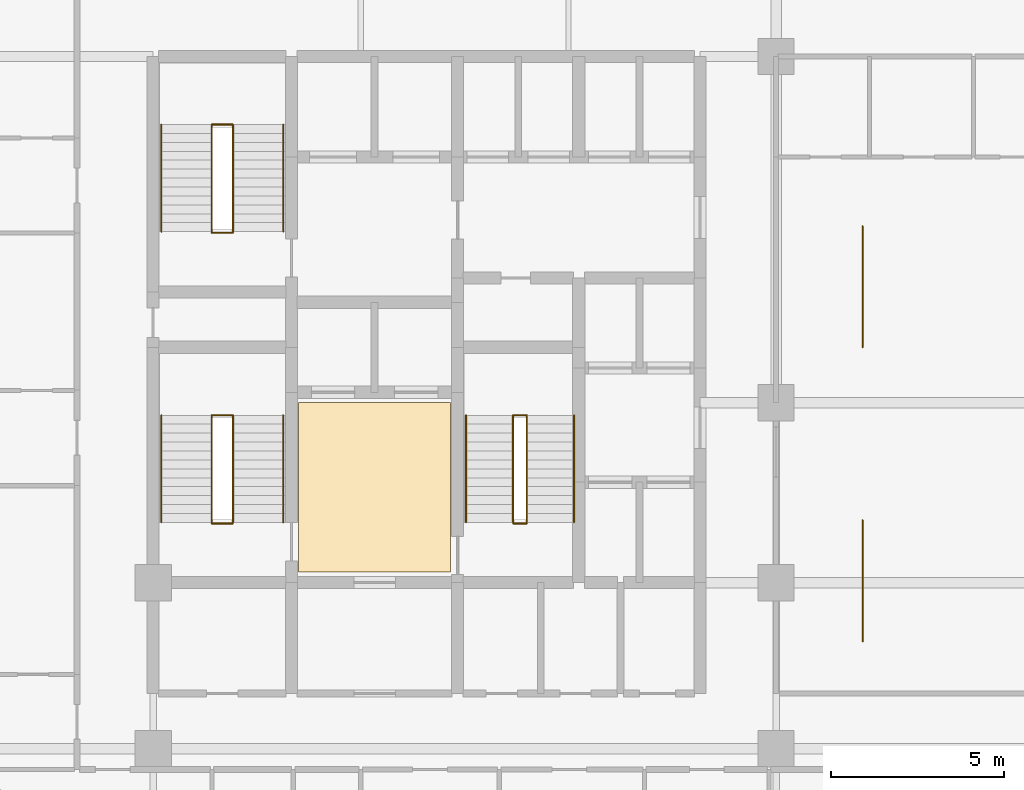
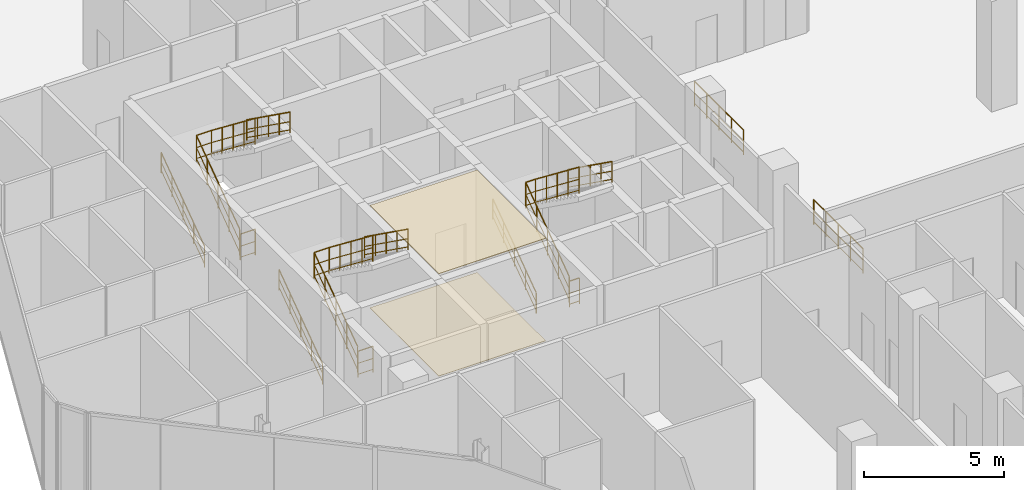
# One storey, part 29 of 29: 14 railings, 2 coverings.
"""IFC4 building model written with IfcOpenShell, lengths in metres."""

from ifc_helpers import new_model, si_unit, direction, frame, origin, origin_2d, place, context, subcontext, project, spatial, polyline, circle, outline, extrude, material, layer, layer_set, type_object, element, save


model = new_model("IFC4")

# Units and contexts
model_context = context("Model", 3, precision=1e-05, world=origin(), true_north=direction((0.0, 1.0)))
body_context = subcontext(model_context, "Body", "Model", "MODEL_VIEW")
ifc_project = project(units=[si_unit("LENGTHUNIT", "METRE"), si_unit("AREAUNIT", "SQUARE_METRE"), si_unit("VOLUMEUNIT", "CUBIC_METRE"), si_unit("PLANEANGLEUNIT", "RADIAN"), si_unit("MASSUNIT", "GRAM", prefix="KILO")], contexts=[model_context])

# Site, building, storey
site_placement = place(None, origin())
site = spatial("IfcSite", under=ifc_project, at=site_placement, CompositionType="ELEMENT")
building_placement = place(site_placement, origin())
building = spatial("IfcBuilding", under=site, at=building_placement, Name="Keshet Zoharim Tower", CompositionType="ELEMENT")
storey_placement = place(building_placement, frame((0.0, 0.0, 120.5)))
storey = spatial("IfcBuildingStorey", under=building, at=storey_placement, Name="L29", CompositionType="ELEMENT", Elevation=120.5)

# Coverings
ifc_material_1 = material(Name="Gypsum Plasterboard", Category="gypsum")
ifc_layer_1 = layer(ifc_material_1, 0.02490234375)
ifc_layer_set_1 = layer_set([ifc_layer_1], Name="Gypsum Plasterboard")
covering_type_1 = type_object("IfcCoveringType", Name="CV-CLG-025", PredefinedType="CEILING", material=ifc_layer_set_1)
covering_1_placement = place(storey_placement, frame((0.0, 0.0, 4.455078125)))
element("IfcCovering", 1, at=covering_1_placement, inside=storey, type_object=covering_type_1, Name="L29 Transfer Lobby Acoustic Ceiling", PredefinedType="CEILING", context=body_context, shape_type="SweptSolid", body=[
    extrude(outline(polyline([(19.199951171875, 23.0), (23.60009765625, 23.0), (23.60009765625, 27.89990234375), (19.199951171875, 27.89990234375), (19.199951171875, 23.0)])), origin(), (0.0, 0.0, 1.0), 0.02490234375),
])
ifc_material_2 = material(Name="Porcelain Ceramic Tile", Category="ceramic")
ifc_layer_2 = layer(ifc_material_2, 0.02001953125)
ifc_layer_set_2 = layer_set([ifc_layer_2], Name="Porcelain Ceramic Tile")
covering_type_2 = type_object("IfcCoveringType", Name="CV-FLR-020", PredefinedType="FLOORING", material=ifc_layer_set_2)
covering_2_placement = place(storey_placement, origin())
element("IfcCovering", 2, at=covering_2_placement, inside=storey, type_object=covering_type_2, Name="L29 Transfer Lobby Porcelain Flooring", PredefinedType="FLOORING", context=body_context, shape_type="SweptSolid", body=[
    extrude(outline(polyline([(19.199951171875, 23.0), (23.60009765625, 23.0), (23.60009765625, 27.89990234375), (19.199951171875, 27.89990234375), (19.199951171875, 23.0)])), origin(), (0.0, 0.0, 1.0), 0.02001953125),
])

# Railings
ifc_material_3 = material(Name="Insulated Low-E Clear Glass", Category="glass")
ifc_layer_3 = layer(ifc_material_3, 0.080078125)
ifc_layer_set_3 = layer_set([ifc_layer_3], Name="Insulated Low-E Clear Glass")
railing_type_1 = type_object("IfcRailingType", Name="RL-BAL-110", PredefinedType="BALUSTRADE", material=ifc_layer_set_3)
for number, where, name in (
    (3, (35.5, 21.0, 0.0), "L29 Lobby Glazed Balustrade 01"),
    (4, (35.5, 29.5, 0.0), "L29 Lobby Glazed Balustrade 02"),
):
    element("IfcRailing", number, at=place(storey_placement, frame(where)), inside=storey, type_object=railing_type_1, Name=name, PredefinedType="BALUSTRADE", context=body_context, shape_type="SweptSolid", body=[
        extrude(circle(Radius=0.02392578125, at=origin_2d()), frame((0.0, 0.0, 1.076171875), z_axis=(0.0, 1.0, 0.0), x_axis=(-1.0, 0.0, 0.0)), (0.0, 0.0, 1.0), 3.5),
        extrude(circle(Radius=0.01611328125, at=origin_2d()), frame((0.0, 0.0, 0.572021484375), z_axis=(0.0, 1.0, 0.0), x_axis=(-1.0, 0.0, 0.0)), (0.0, 0.0, 1.0), 3.5),
        extrude(circle(Radius=0.01611328125, at=origin_2d()), frame((0.0, 0.0, 0.1201171875), z_axis=(0.0, 1.0, 0.0), x_axis=(-1.0, 0.0, 0.0)), (0.0, 0.0, 1.0), 3.5),
        extrude(circle(Radius=0.02099609375, at=origin_2d()), origin(), (0.0, 0.0, 1.0), 1.052001953125),
        extrude(circle(Radius=0.02099609375, at=origin_2d()), frame((0.0, 0.875, 0.0)), (0.0, 0.0, 1.0), 1.052001953125),
        extrude(circle(Radius=0.02099609375, at=origin_2d()), frame((0.0, 1.75, 0.0)), (0.0, 0.0, 1.0), 1.052001953125),
        extrude(circle(Radius=0.02099609375, at=origin_2d()), frame((0.0, 2.625, 0.0)), (0.0, 0.0, 1.0), 1.052001953125),
        extrude(circle(Radius=0.02099609375, at=origin_2d()), frame((0.0, 3.5, 0.0)), (0.0, 0.0, 1.0), 1.052001953125),
    ])
ifc_material_4 = material(Name="Steel S355", Category="steel")
ifc_layer_4 = layer(ifc_material_4, 0.050048828125)
ifc_layer_set_4 = layer_set([ifc_layer_4], Name="Steel S355")
railing_type_2 = type_object("IfcRailingType", Name="RL-HND-092", PredefinedType="HANDRAIL", material=ifc_layer_set_4)
railing_1_placement = place(storey_placement, frame((15.239990234375, 24.43994140625, 0.1845703125)))
element("IfcRailing", 5, at=railing_1_placement, inside=storey, type_object=railing_type_2, Name="L29 ST-01 Flight 1 Wall Handrail", PredefinedType="HANDRAIL", context=body_context, shape_type="SweptSolid", body=[
    extrude(circle(Radius=0.02392578125, at=origin_2d()), frame((0.0, 0.0, 0.89599609375), z_axis=(0.0, 0.813243534622, 0.581923494453), x_axis=(-1.0, 0.0, 0.0)), (0.0, 0.0, 1.0), 3.806884765625),
    extrude(circle(Radius=0.01611328125, at=origin_2d()), frame((0.0, 0.0, 0.478271484375), z_axis=(0.0, 0.813243534622, 0.581923494453), x_axis=(-1.0, 0.0, 0.0)), (0.0, 0.0, 1.0), 3.806884765625),
    extrude(circle(Radius=0.01611328125, at=origin_2d()), frame((0.0, 0.0, 0.1201171875), z_axis=(0.0, 0.813243534622, 0.581923494453), x_axis=(-1.0, 0.0, 0.0)), (0.0, 0.0, 1.0), 3.806884765625),
    extrude(circle(Radius=0.02099609375, at=origin_2d()), origin(), (0.0, 0.0, 1.0), 0.871826171875),
    extrude(circle(Radius=0.02099609375, at=origin_2d()), frame((0.0, 0.77392578125, 0.5537109375)), (0.0, 0.0, 1.0), 0.871826171875),
    extrude(circle(Radius=0.02099609375, at=origin_2d()), frame((0.0, 1.5478515625, 1.107666015625)), (0.0, 0.0, 1.0), 0.871826171875),
    extrude(circle(Radius=0.02099609375, at=origin_2d()), frame((0.0, 2.322021484375, 1.66162109375)), (0.0, 0.0, 1.0), 0.871826171875),
    extrude(circle(Radius=0.02099609375, at=origin_2d()), frame((0.0, 3.095947265625, 2.21533203125)), (0.0, 0.0, 1.0), 0.871826171875),
])
railing_2_placement = place(storey_placement, frame((18.760009765625, 27.535888671875, 2.584716796875)))
element("IfcRailing", 6, at=railing_2_placement, inside=storey, type_object=railing_type_2, Name="L29 ST-01 Flight 2 Wall Handrail", PredefinedType="HANDRAIL", context=body_context, shape_type="SweptSolid", body=[
    extrude(circle(Radius=0.02392578125, at=origin_2d()), frame((0.0, 0.0, 0.89599609375), z_axis=(0.0, -0.813243534622, 0.581923494453), x_axis=(1.0, 0.0, 0.0)), (0.0, 0.0, 1.0), 3.806884765625),
    extrude(circle(Radius=0.01611328125, at=origin_2d()), frame((0.0, 0.0, 0.478271484375), z_axis=(0.0, -0.813243534622, 0.581923494453), x_axis=(1.0, 0.0, 0.0)), (0.0, 0.0, 1.0), 3.806884765625),
    extrude(circle(Radius=0.01611328125, at=origin_2d()), frame((0.0, 0.0, 0.1201171875), z_axis=(0.0, -0.813243534622, 0.581923494453), x_axis=(1.0, 0.0, 0.0)), (0.0, 0.0, 1.0), 3.806884765625),
    extrude(circle(Radius=0.02099609375, at=origin_2d()), origin(), (0.0, 0.0, 1.0), 0.871826171875),
    extrude(circle(Radius=0.02099609375, at=origin_2d()), frame((0.0, -0.77392578125, 0.5537109375)), (0.0, 0.0, 1.0), 0.871826171875),
    extrude(circle(Radius=0.02099609375, at=origin_2d()), frame((0.0, -1.5478515625, 1.107666015625)), (0.0, 0.0, 1.0), 0.871826171875),
    extrude(circle(Radius=0.02099609375, at=origin_2d()), frame((0.0, -2.322021484375, 1.66162109375)), (0.0, 0.0, 1.0), 0.871826171875),
    extrude(circle(Radius=0.02099609375, at=origin_2d()), frame((0.0, -3.095947265625, 2.21533203125)), (0.0, 0.0, 1.0), 0.871826171875),
])
railing_3_placement = place(storey_placement, frame((15.239990234375, 32.840087890625, 0.1845703125)))
element("IfcRailing", 7, at=railing_3_placement, inside=storey, type_object=railing_type_2, Name="L29 ST-02 Flight 1 Wall Handrail", PredefinedType="HANDRAIL", context=body_context, shape_type="SweptSolid", body=[
    extrude(circle(Radius=0.02392578125, at=origin_2d()), frame((0.0, 0.0, 0.89599609375), z_axis=(0.0, 0.813243534622, 0.581923494453), x_axis=(-1.0, 0.0, 0.0)), (0.0, 0.0, 1.0), 3.806884765625),
    extrude(circle(Radius=0.01611328125, at=origin_2d()), frame((0.0, 0.0, 0.478271484375), z_axis=(0.0, 0.813243534622, 0.581923494453), x_axis=(-1.0, 0.0, 0.0)), (0.0, 0.0, 1.0), 3.806884765625),
    extrude(circle(Radius=0.01611328125, at=origin_2d()), frame((0.0, 0.0, 0.1201171875), z_axis=(0.0, 0.813243534622, 0.581923494453), x_axis=(-1.0, 0.0, 0.0)), (0.0, 0.0, 1.0), 3.806884765625),
    extrude(circle(Radius=0.02099609375, at=origin_2d()), origin(), (0.0, 0.0, 1.0), 0.871826171875),
    extrude(circle(Radius=0.02099609375, at=origin_2d()), frame((0.0, 0.77392578125, 0.5537109375)), (0.0, 0.0, 1.0), 0.871826171875),
    extrude(circle(Radius=0.02099609375, at=origin_2d()), frame((0.0, 1.5478515625, 1.107666015625)), (0.0, 0.0, 1.0), 0.871826171875),
    extrude(circle(Radius=0.02099609375, at=origin_2d()), frame((0.0, 2.322021484375, 1.66162109375)), (0.0, 0.0, 1.0), 0.871826171875),
    extrude(circle(Radius=0.02099609375, at=origin_2d()), frame((0.0, 3.095947265625, 2.21533203125)), (0.0, 0.0, 1.0), 0.871826171875),
])
railing_4_placement = place(storey_placement, frame((18.760009765625, 35.93603515625, 2.584716796875)))
element("IfcRailing", 8, at=railing_4_placement, inside=storey, type_object=railing_type_2, Name="L29 ST-02 Flight 2 Wall Handrail", PredefinedType="HANDRAIL", context=body_context, shape_type="SweptSolid", body=[
    extrude(circle(Radius=0.02392578125, at=origin_2d()), frame((0.0, 0.0, 0.89599609375), z_axis=(0.0, -0.813243534622, 0.581923494453), x_axis=(1.0, 0.0, 0.0)), (0.0, 0.0, 1.0), 3.806884765625),
    extrude(circle(Radius=0.01611328125, at=origin_2d()), frame((0.0, 0.0, 0.478271484375), z_axis=(0.0, -0.813243534622, 0.581923494453), x_axis=(1.0, 0.0, 0.0)), (0.0, 0.0, 1.0), 3.806884765625),
    extrude(circle(Radius=0.01611328125, at=origin_2d()), frame((0.0, 0.0, 0.1201171875), z_axis=(0.0, -0.813243534622, 0.581923494453), x_axis=(1.0, 0.0, 0.0)), (0.0, 0.0, 1.0), 3.806884765625),
    extrude(circle(Radius=0.02099609375, at=origin_2d()), origin(), (0.0, 0.0, 1.0), 0.871826171875),
    extrude(circle(Radius=0.02099609375, at=origin_2d()), frame((0.0, -0.77392578125, 0.5537109375)), (0.0, 0.0, 1.0), 0.871826171875),
    extrude(circle(Radius=0.02099609375, at=origin_2d()), frame((0.0, -1.5478515625, 1.107666015625)), (0.0, 0.0, 1.0), 0.871826171875),
    extrude(circle(Radius=0.02099609375, at=origin_2d()), frame((0.0, -2.322021484375, 1.66162109375)), (0.0, 0.0, 1.0), 0.871826171875),
    extrude(circle(Radius=0.02099609375, at=origin_2d()), frame((0.0, -3.095947265625, 2.21533203125)), (0.0, 0.0, 1.0), 0.871826171875),
])
railing_5_placement = place(storey_placement, frame((24.0400390625, 24.43994140625, 0.1845703125)))
element("IfcRailing", 9, at=railing_5_placement, inside=storey, type_object=railing_type_2, Name="L29 ST-03 Flight 1 Wall Handrail", PredefinedType="HANDRAIL", context=body_context, shape_type="SweptSolid", body=[
    extrude(circle(Radius=0.02392578125, at=origin_2d()), frame((0.0, 0.0, 0.89599609375), z_axis=(0.0, 0.813243534622, 0.581923494453), x_axis=(-1.0, 0.0, 0.0)), (0.0, 0.0, 1.0), 3.806884765625),
    extrude(circle(Radius=0.01611328125, at=origin_2d()), frame((0.0, 0.0, 0.478271484375), z_axis=(0.0, 0.813243534622, 0.581923494453), x_axis=(-1.0, 0.0, 0.0)), (0.0, 0.0, 1.0), 3.806884765625),
    extrude(circle(Radius=0.01611328125, at=origin_2d()), frame((0.0, 0.0, 0.1201171875), z_axis=(0.0, 0.813243534622, 0.581923494453), x_axis=(-1.0, 0.0, 0.0)), (0.0, 0.0, 1.0), 3.806884765625),
    extrude(circle(Radius=0.02099609375, at=origin_2d()), origin(), (0.0, 0.0, 1.0), 0.871826171875),
    extrude(circle(Radius=0.02099609375, at=origin_2d()), frame((0.0, 0.77392578125, 0.5537109375)), (0.0, 0.0, 1.0), 0.871826171875),
    extrude(circle(Radius=0.02099609375, at=origin_2d()), frame((0.0, 1.5478515625, 1.107666015625)), (0.0, 0.0, 1.0), 0.871826171875),
    extrude(circle(Radius=0.02099609375, at=origin_2d()), frame((0.0, 2.322021484375, 1.66162109375)), (0.0, 0.0, 1.0), 0.871826171875),
    extrude(circle(Radius=0.02099609375, at=origin_2d()), frame((0.0, 3.095947265625, 2.21533203125)), (0.0, 0.0, 1.0), 0.871826171875),
])
railing_6_placement = place(storey_placement, frame((27.159912109375, 27.535888671875, 2.584716796875)))
element("IfcRailing", 10, at=railing_6_placement, inside=storey, type_object=railing_type_2, Name="L29 ST-03 Flight 2 Wall Handrail", PredefinedType="HANDRAIL", context=body_context, shape_type="SweptSolid", body=[
    extrude(circle(Radius=0.02392578125, at=origin_2d()), frame((0.0, 0.0, 0.89599609375), z_axis=(0.0, -0.813243534622, 0.581923494453), x_axis=(1.0, 0.0, 0.0)), (0.0, 0.0, 1.0), 3.806884765625),
    extrude(circle(Radius=0.01611328125, at=origin_2d()), frame((0.0, 0.0, 0.478271484375), z_axis=(0.0, -0.813243534622, 0.581923494453), x_axis=(1.0, 0.0, 0.0)), (0.0, 0.0, 1.0), 3.806884765625),
    extrude(circle(Radius=0.01611328125, at=origin_2d()), frame((0.0, 0.0, 0.1201171875), z_axis=(0.0, -0.813243534622, 0.581923494453), x_axis=(1.0, 0.0, 0.0)), (0.0, 0.0, 1.0), 3.806884765625),
    extrude(circle(Radius=0.02099609375, at=origin_2d()), origin(), (0.0, 0.0, 1.0), 0.871826171875),
    extrude(circle(Radius=0.02099609375, at=origin_2d()), frame((0.0, -0.77392578125, 0.5537109375)), (0.0, 0.0, 1.0), 0.871826171875),
    extrude(circle(Radius=0.02099609375, at=origin_2d()), frame((0.0, -1.5478515625, 1.107666015625)), (0.0, 0.0, 1.0), 0.871826171875),
    extrude(circle(Radius=0.02099609375, at=origin_2d()), frame((0.0, -2.322021484375, 1.66162109375)), (0.0, 0.0, 1.0), 0.871826171875),
    extrude(circle(Radius=0.02099609375, at=origin_2d()), frame((0.0, -3.095947265625, 2.21533203125)), (0.0, 0.0, 1.0), 0.871826171875),
])
ifc_layer_5 = layer(ifc_material_4, 0.06005859375)
ifc_layer_set_5 = layer_set([ifc_layer_5], Name="Steel S355")
railing_type_3 = type_object("IfcRailingType", Name="RL-STG-115", PredefinedType="GUARDRAIL", material=ifc_layer_set_5)
railing_7_placement = place(storey_placement, frame((16.68994140625, 24.43994140625, 0.1845703125)))
element("IfcRailing", 11, at=railing_7_placement, inside=storey, type_object=railing_type_3, Name="L29 ST-01 Inner Well Guardrail", PredefinedType="GUARDRAIL", context=body_context, shape_type="SweptSolid", body=[
    extrude(circle(Radius=0.02392578125, at=origin_2d()), frame((0.0, 0.0, 1.1259765625), z_axis=(0.0, 0.813243534622, 0.581923494453), x_axis=(-1.0, 0.0, 0.0)), (0.0, 0.0, 1.0), 3.806884765625),
    extrude(circle(Radius=0.01611328125, at=origin_2d()), frame((0.0, 0.0, 0.597900390625), z_axis=(0.0, 0.813243534622, 0.581923494453), x_axis=(-1.0, 0.0, 0.0)), (0.0, 0.0, 1.0), 3.806884765625),
    extrude(circle(Radius=0.01611328125, at=origin_2d()), frame((0.0, 0.0, 0.1201171875), z_axis=(0.0, 0.813243534622, 0.581923494453), x_axis=(-1.0, 0.0, 0.0)), (0.0, 0.0, 1.0), 3.806884765625),
    extrude(circle(Radius=0.02392578125, at=origin_2d()), frame((0.0, 3.095947265625, 3.34130859375), z_axis=(1.0, 0.0, 0.0), x_axis=(0.0, 1.0, 0.0)), (0.0, 0.0, 1.0), 0.6201171875),
    extrude(circle(Radius=0.01611328125, at=origin_2d()), frame((0.0, 3.095947265625, 2.813232421875), z_axis=(1.0, 0.0, 0.0), x_axis=(0.0, 1.0, 0.0)), (0.0, 0.0, 1.0), 0.6201171875),
    extrude(circle(Radius=0.01611328125, at=origin_2d()), frame((0.0, 3.095947265625, 2.33544921875), z_axis=(1.0, 0.0, 0.0), x_axis=(0.0, 1.0, 0.0)), (0.0, 0.0, 1.0), 0.6201171875),
    extrude(circle(Radius=0.02392578125, at=origin_2d()), frame((0.6201171875, 3.095947265625, 3.34130859375), z_axis=(0.0, -0.790317724902, 0.612697228414), x_axis=(1.0, 0.0, 0.0)), (0.0, 0.0, 1.0), 3.917236328125),
    extrude(circle(Radius=0.01611328125, at=origin_2d()), frame((0.6201171875, 3.095947265625, 2.813232421875), z_axis=(0.0, -0.790317724902, 0.612697228414), x_axis=(1.0, 0.0, 0.0)), (0.0, 0.0, 1.0), 3.917236328125),
    extrude(circle(Radius=0.01611328125, at=origin_2d()), frame((0.6201171875, 3.095947265625, 2.33544921875), z_axis=(0.0, -0.790317724902, 0.612697228414), x_axis=(1.0, 0.0, 0.0)), (0.0, 0.0, 1.0), 3.917236328125),
    extrude(circle(Radius=0.02099609375, at=origin_2d()), origin(), (0.0, 0.0, 1.0), 1.101806640625),
    extrude(circle(Radius=0.02099609375, at=origin_2d()), frame((0.0, 0.77392578125, 0.5537109375)), (0.0, 0.0, 1.0), 1.101806640625),
    extrude(circle(Radius=0.02099609375, at=origin_2d()), frame((0.0, 1.5478515625, 1.107666015625)), (0.0, 0.0, 1.0), 1.101806640625),
    extrude(circle(Radius=0.02099609375, at=origin_2d()), frame((0.0, 2.322021484375, 1.66162109375)), (0.0, 0.0, 1.0), 1.101806640625),
    extrude(circle(Radius=0.02099609375, at=origin_2d()), frame((0.0, 3.095947265625, 2.21533203125)), (0.0, 0.0, 1.0), 1.101806640625),
    extrude(circle(Radius=0.02099609375, at=origin_2d()), frame((0.6201171875, 3.095947265625, 2.21533203125)), (0.0, 0.0, 1.0), 1.101806640625),
    extrude(circle(Radius=0.02099609375, at=origin_2d()), frame((0.6201171875, 2.322021484375, 2.8154296875)), (0.0, 0.0, 1.0), 1.101806640625),
    extrude(circle(Radius=0.02099609375, at=origin_2d()), frame((0.6201171875, 1.5478515625, 3.41552734375)), (0.0, 0.0, 1.0), 1.101806640625),
    extrude(circle(Radius=0.02099609375, at=origin_2d()), frame((0.6201171875, 0.77392578125, 4.015380859375)), (0.0, 0.0, 1.0), 1.101806640625),
    extrude(circle(Radius=0.02099609375, at=origin_2d()), frame((0.6201171875, 0.0, 4.615478515625)), (0.0, 0.0, 1.0), 1.101806640625),
])
railing_8_placement = place(storey_placement, frame((16.68994140625, 24.409912109375, 0.0)))
element("IfcRailing", 12, at=railing_8_placement, inside=storey, type_object=railing_type_3, Name="L29 ST-01 Stairwell Floor Guardrail", PredefinedType="GUARDRAIL", context=body_context, shape_type="SweptSolid", body=[
    extrude(circle(Radius=0.02392578125, at=origin_2d()), frame((0.0, 0.0, 1.1259765625), z_axis=(1.0, 0.0, 0.0), x_axis=(0.0, 1.0, 0.0)), (0.0, 0.0, 1.0), 0.6201171875),
    extrude(circle(Radius=0.01611328125, at=origin_2d()), frame((0.0, 0.0, 0.597900390625), z_axis=(1.0, 0.0, 0.0), x_axis=(0.0, 1.0, 0.0)), (0.0, 0.0, 1.0), 0.6201171875),
    extrude(circle(Radius=0.01611328125, at=origin_2d()), frame((0.0, 0.0, 0.1201171875), z_axis=(1.0, 0.0, 0.0), x_axis=(0.0, 1.0, 0.0)), (0.0, 0.0, 1.0), 0.6201171875),
    extrude(circle(Radius=0.02099609375, at=origin_2d()), origin(), (0.0, 0.0, 1.0), 1.101806640625),
    extrude(circle(Radius=0.02099609375, at=origin_2d()), frame((0.6201171875, 0.0, 0.0)), (0.0, 0.0, 1.0), 1.101806640625),
])
railing_9_placement = place(storey_placement, frame((16.68994140625, 32.840087890625, 0.1845703125)))
element("IfcRailing", 13, at=railing_9_placement, inside=storey, type_object=railing_type_3, Name="L29 ST-02 Inner Well Guardrail", PredefinedType="GUARDRAIL", context=body_context, shape_type="SweptSolid", body=[
    extrude(circle(Radius=0.02392578125, at=origin_2d()), frame((0.0, 0.0, 1.1259765625), z_axis=(0.0, 0.813243534622, 0.581923494453), x_axis=(-1.0, 0.0, 0.0)), (0.0, 0.0, 1.0), 3.806884765625),
    extrude(circle(Radius=0.01611328125, at=origin_2d()), frame((0.0, 0.0, 0.597900390625), z_axis=(0.0, 0.813243534622, 0.581923494453), x_axis=(-1.0, 0.0, 0.0)), (0.0, 0.0, 1.0), 3.806884765625),
    extrude(circle(Radius=0.01611328125, at=origin_2d()), frame((0.0, 0.0, 0.1201171875), z_axis=(0.0, 0.813243534622, 0.581923494453), x_axis=(-1.0, 0.0, 0.0)), (0.0, 0.0, 1.0), 3.806884765625),
    extrude(circle(Radius=0.02392578125, at=origin_2d()), frame((0.0, 3.095947265625, 3.34130859375), z_axis=(1.0, 0.0, 0.0), x_axis=(0.0, 1.0, 0.0)), (0.0, 0.0, 1.0), 0.6201171875),
    extrude(circle(Radius=0.01611328125, at=origin_2d()), frame((0.0, 3.095947265625, 2.813232421875), z_axis=(1.0, 0.0, 0.0), x_axis=(0.0, 1.0, 0.0)), (0.0, 0.0, 1.0), 0.6201171875),
    extrude(circle(Radius=0.01611328125, at=origin_2d()), frame((0.0, 3.095947265625, 2.33544921875), z_axis=(1.0, 0.0, 0.0), x_axis=(0.0, 1.0, 0.0)), (0.0, 0.0, 1.0), 0.6201171875),
    extrude(circle(Radius=0.02392578125, at=origin_2d()), frame((0.6201171875, 3.095947265625, 3.34130859375), z_axis=(0.0, -0.790317724902, 0.612697228414), x_axis=(1.0, 0.0, 0.0)), (0.0, 0.0, 1.0), 3.917236328125),
    extrude(circle(Radius=0.01611328125, at=origin_2d()), frame((0.6201171875, 3.095947265625, 2.813232421875), z_axis=(0.0, -0.790317724902, 0.612697228414), x_axis=(1.0, 0.0, 0.0)), (0.0, 0.0, 1.0), 3.917236328125),
    extrude(circle(Radius=0.01611328125, at=origin_2d()), frame((0.6201171875, 3.095947265625, 2.33544921875), z_axis=(0.0, -0.790317724902, 0.612697228414), x_axis=(1.0, 0.0, 0.0)), (0.0, 0.0, 1.0), 3.917236328125),
    extrude(circle(Radius=0.02099609375, at=origin_2d()), origin(), (0.0, 0.0, 1.0), 1.101806640625),
    extrude(circle(Radius=0.02099609375, at=origin_2d()), frame((0.0, 0.77392578125, 0.5537109375)), (0.0, 0.0, 1.0), 1.101806640625),
    extrude(circle(Radius=0.02099609375, at=origin_2d()), frame((0.0, 1.5478515625, 1.107666015625)), (0.0, 0.0, 1.0), 1.101806640625),
    extrude(circle(Radius=0.02099609375, at=origin_2d()), frame((0.0, 2.322021484375, 1.66162109375)), (0.0, 0.0, 1.0), 1.101806640625),
    extrude(circle(Radius=0.02099609375, at=origin_2d()), frame((0.0, 3.095947265625, 2.21533203125)), (0.0, 0.0, 1.0), 1.101806640625),
    extrude(circle(Radius=0.02099609375, at=origin_2d()), frame((0.6201171875, 3.095947265625, 2.21533203125)), (0.0, 0.0, 1.0), 1.101806640625),
    extrude(circle(Radius=0.02099609375, at=origin_2d()), frame((0.6201171875, 2.322021484375, 2.8154296875)), (0.0, 0.0, 1.0), 1.101806640625),
    extrude(circle(Radius=0.02099609375, at=origin_2d()), frame((0.6201171875, 1.5478515625, 3.41552734375)), (0.0, 0.0, 1.0), 1.101806640625),
    extrude(circle(Radius=0.02099609375, at=origin_2d()), frame((0.6201171875, 0.77392578125, 4.015380859375)), (0.0, 0.0, 1.0), 1.101806640625),
    extrude(circle(Radius=0.02099609375, at=origin_2d()), frame((0.6201171875, 0.0, 4.615478515625)), (0.0, 0.0, 1.0), 1.101806640625),
])
railing_10_placement = place(storey_placement, frame((16.68994140625, 32.81005859375, 0.0)))
element("IfcRailing", 14, at=railing_10_placement, inside=storey, type_object=railing_type_3, Name="L29 ST-02 Stairwell Floor Guardrail", PredefinedType="GUARDRAIL", context=body_context, shape_type="SweptSolid", body=[
    extrude(circle(Radius=0.02392578125, at=origin_2d()), frame((0.0, 0.0, 1.1259765625), z_axis=(1.0, 0.0, 0.0), x_axis=(0.0, 1.0, 0.0)), (0.0, 0.0, 1.0), 0.6201171875),
    extrude(circle(Radius=0.01611328125, at=origin_2d()), frame((0.0, 0.0, 0.597900390625), z_axis=(1.0, 0.0, 0.0), x_axis=(0.0, 1.0, 0.0)), (0.0, 0.0, 1.0), 0.6201171875),
    extrude(circle(Radius=0.01611328125, at=origin_2d()), frame((0.0, 0.0, 0.1201171875), z_axis=(1.0, 0.0, 0.0), x_axis=(0.0, 1.0, 0.0)), (0.0, 0.0, 1.0), 0.6201171875),
    extrude(circle(Radius=0.02099609375, at=origin_2d()), origin(), (0.0, 0.0, 1.0), 1.101806640625),
    extrude(circle(Radius=0.02099609375, at=origin_2d()), frame((0.6201171875, 0.0, 0.0)), (0.0, 0.0, 1.0), 1.101806640625),
])
railing_11_placement = place(storey_placement, frame((25.39990234375, 24.43994140625, 0.1845703125)))
element("IfcRailing", 15, at=railing_11_placement, inside=storey, type_object=railing_type_3, Name="L29 ST-03 Inner Well Guardrail", PredefinedType="GUARDRAIL", context=body_context, shape_type="SweptSolid", body=[
    extrude(circle(Radius=0.02392578125, at=origin_2d()), frame((0.0, 0.0, 1.1259765625), z_axis=(0.0, 0.813243534622, 0.581923494453), x_axis=(-1.0, 0.0, 0.0)), (0.0, 0.0, 1.0), 3.806884765625),
    extrude(circle(Radius=0.01611328125, at=origin_2d()), frame((0.0, 0.0, 0.597900390625), z_axis=(0.0, 0.813243534622, 0.581923494453), x_axis=(-1.0, 0.0, 0.0)), (0.0, 0.0, 1.0), 3.806884765625),
    extrude(circle(Radius=0.01611328125, at=origin_2d()), frame((0.0, 0.0, 0.1201171875), z_axis=(0.0, 0.813243534622, 0.581923494453), x_axis=(-1.0, 0.0, 0.0)), (0.0, 0.0, 1.0), 3.806884765625),
    extrude(circle(Radius=0.02392578125, at=origin_2d()), frame((0.0, 3.095947265625, 3.34130859375), z_axis=(1.0, 0.0, 0.0), x_axis=(0.0, 1.0, 0.0)), (0.0, 0.0, 1.0), 0.400146484375),
    extrude(circle(Radius=0.01611328125, at=origin_2d()), frame((0.0, 3.095947265625, 2.813232421875), z_axis=(1.0, 0.0, 0.0), x_axis=(0.0, 1.0, 0.0)), (0.0, 0.0, 1.0), 0.400146484375),
    extrude(circle(Radius=0.01611328125, at=origin_2d()), frame((0.0, 3.095947265625, 2.33544921875), z_axis=(1.0, 0.0, 0.0), x_axis=(0.0, 1.0, 0.0)), (0.0, 0.0, 1.0), 0.400146484375),
    extrude(circle(Radius=0.02392578125, at=origin_2d()), frame((0.400146484375, 3.095947265625, 3.34130859375), z_axis=(0.0, -0.790317724902, 0.612697228414), x_axis=(1.0, 0.0, 0.0)), (0.0, 0.0, 1.0), 3.917236328125),
    extrude(circle(Radius=0.01611328125, at=origin_2d()), frame((0.400146484375, 3.095947265625, 2.813232421875), z_axis=(0.0, -0.790317724902, 0.612697228414), x_axis=(1.0, 0.0, 0.0)), (0.0, 0.0, 1.0), 3.917236328125),
    extrude(circle(Radius=0.01611328125, at=origin_2d()), frame((0.400146484375, 3.095947265625, 2.33544921875), z_axis=(0.0, -0.790317724902, 0.612697228414), x_axis=(1.0, 0.0, 0.0)), (0.0, 0.0, 1.0), 3.917236328125),
    extrude(circle(Radius=0.02099609375, at=origin_2d()), origin(), (0.0, 0.0, 1.0), 1.101806640625),
    extrude(circle(Radius=0.02099609375, at=origin_2d()), frame((0.0, 0.77392578125, 0.5537109375)), (0.0, 0.0, 1.0), 1.101806640625),
    extrude(circle(Radius=0.02099609375, at=origin_2d()), frame((0.0, 1.5478515625, 1.107666015625)), (0.0, 0.0, 1.0), 1.101806640625),
    extrude(circle(Radius=0.02099609375, at=origin_2d()), frame((0.0, 2.322021484375, 1.66162109375)), (0.0, 0.0, 1.0), 1.101806640625),
    extrude(circle(Radius=0.02099609375, at=origin_2d()), frame((0.0, 3.095947265625, 2.21533203125)), (0.0, 0.0, 1.0), 1.101806640625),
    extrude(circle(Radius=0.02099609375, at=origin_2d()), frame((0.400146484375, 3.095947265625, 2.21533203125)), (0.0, 0.0, 1.0), 1.101806640625),
    extrude(circle(Radius=0.02099609375, at=origin_2d()), frame((0.400146484375, 2.322021484375, 2.8154296875)), (0.0, 0.0, 1.0), 1.101806640625),
    extrude(circle(Radius=0.02099609375, at=origin_2d()), frame((0.400146484375, 1.5478515625, 3.41552734375)), (0.0, 0.0, 1.0), 1.101806640625),
    extrude(circle(Radius=0.02099609375, at=origin_2d()), frame((0.400146484375, 0.77392578125, 4.015380859375)), (0.0, 0.0, 1.0), 1.101806640625),
    extrude(circle(Radius=0.02099609375, at=origin_2d()), frame((0.400146484375, 0.0, 4.615478515625)), (0.0, 0.0, 1.0), 1.101806640625),
])
railing_12_placement = place(storey_placement, frame((25.39990234375, 24.409912109375, 0.0)))
element("IfcRailing", 16, at=railing_12_placement, inside=storey, type_object=railing_type_3, Name="L29 ST-03 Stairwell Floor Guardrail", PredefinedType="GUARDRAIL", context=body_context, shape_type="SweptSolid", body=[
    extrude(circle(Radius=0.02392578125, at=origin_2d()), frame((0.0, 0.0, 1.1259765625), z_axis=(1.0, 0.0, 0.0), x_axis=(0.0, 1.0, 0.0)), (0.0, 0.0, 1.0), 0.400146484375),
    extrude(circle(Radius=0.01611328125, at=origin_2d()), frame((0.0, 0.0, 0.597900390625), z_axis=(1.0, 0.0, 0.0), x_axis=(0.0, 1.0, 0.0)), (0.0, 0.0, 1.0), 0.400146484375),
    extrude(circle(Radius=0.01611328125, at=origin_2d()), frame((0.0, 0.0, 0.1201171875), z_axis=(1.0, 0.0, 0.0), x_axis=(0.0, 1.0, 0.0)), (0.0, 0.0, 1.0), 0.400146484375),
    extrude(circle(Radius=0.02099609375, at=origin_2d()), origin(), (0.0, 0.0, 1.0), 1.101806640625),
    extrude(circle(Radius=0.02099609375, at=origin_2d()), frame((0.400146484375, 0.0, 0.0)), (0.0, 0.0, 1.0), 1.101806640625),
])

save(model, "model.ifc")
